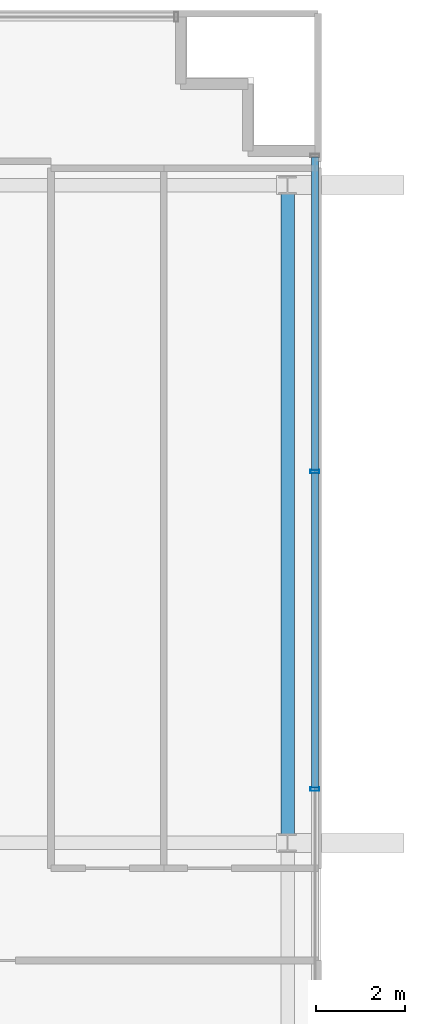
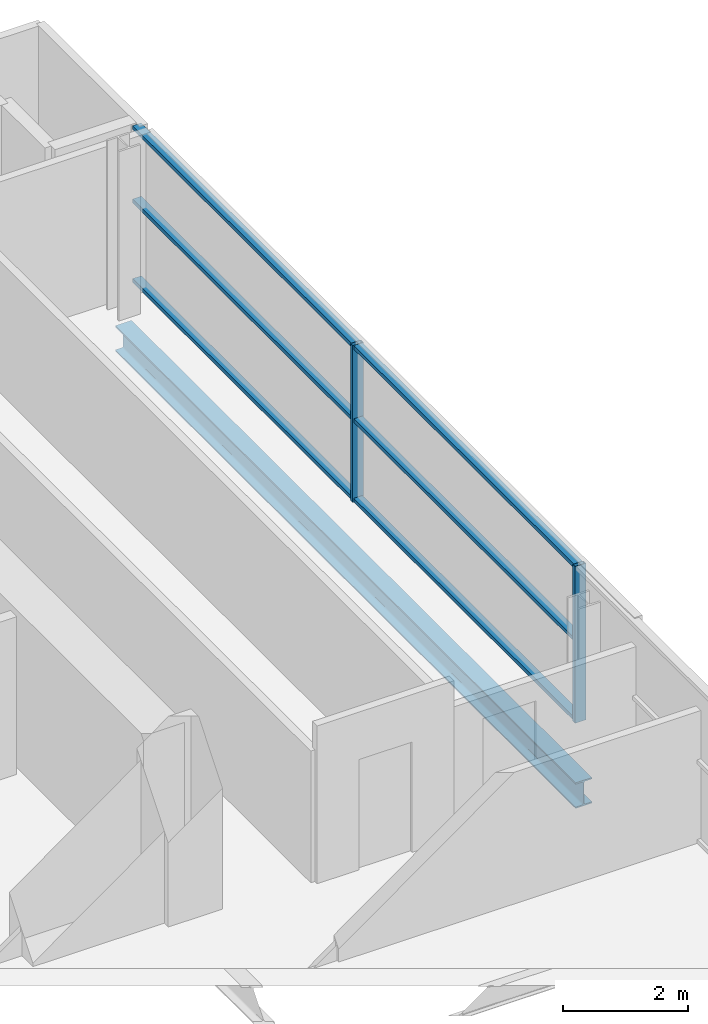
# One storey, part 9 of 23: 8 members, 1 beam, 1 element without a shape of its own.
"""IFC4 building model written with IfcOpenShell, lengths in metres."""

from ifc_helpers import new_model, si_unit, direction, frame, origin, origin_2d, place, context, subcontext, project, spatial, hollow_rectangle, i_section, extrude, source, transform, mapped, material, layer, layer_set, material_profile, profile_set, type_object, element, aggregate, save


model = new_model("IFC4")

# Units and contexts
model_context = context("Model", 3, precision=1e-05, world=origin(), true_north=direction((0.0, 1.0)))
body_context = subcontext(model_context, "Body", "Model", "MODEL_VIEW")
ifc_project = project(units=[si_unit("LENGTHUNIT", "METRE"), si_unit("AREAUNIT", "SQUARE_METRE"), si_unit("VOLUMEUNIT", "CUBIC_METRE"), si_unit("PLANEANGLEUNIT", "RADIAN"), si_unit("MASSUNIT", "GRAM", prefix="KILO")], contexts=[model_context])

# Site, building, storey
site_placement = place(None, origin())
site = spatial("IfcSite", under=ifc_project, at=site_placement, CompositionType="ELEMENT")
building_placement = place(site_placement, origin())
building = spatial("IfcBuilding", under=site, at=building_placement, Name="Zarnakvel Exchange Tower", CompositionType="ELEMENT")
storey_placement = place(building_placement, frame((0.0, 0.0, 146.199951171875)))
storey = spatial("IfcBuildingStorey", under=building, at=storey_placement, Name="L40", CompositionType="ELEMENT", Elevation=146.199951171875)

# Beam
ifc_material_1 = material(Name="Steel S355", Category="steel")
ifc_material_profile_1 = material_profile(ifc_material_1, i_section(OverallWidth=0.300048828125, OverallDepth=0.5, WebThickness=0.014404296875, FlangeThickness=0.028076171875, FilletRadius=0.027099609375, at=origin_2d()))
ifc_profile_set_1 = profile_set([ifc_material_profile_1], Name="Steel S355")
beam_type = type_object("IfcBeamType", Name="SP-02", PredefinedType="SPANDREL", material=ifc_profile_set_1)
beam_placement = place(storey_placement, frame((21.85009765625, -1.199951171875, -0.474853515625), z_axis=(0.0, 1.0, 0.0), x_axis=(-1.0, 0.0, 0.0)))
element("IfcBeam", 1, at=beam_placement, inside=storey, type_object=beam_type, Name="L40 Tower N-S Frame Beam", PredefinedType="SPANDREL", context=body_context, shape_type="SweptSolid", body=[
    extrude(i_section(OverallWidth=0.300048828125, OverallDepth=0.5, WebThickness=0.014404296875, FlangeThickness=0.028076171875, FilletRadius=0.027099609375, at=origin_2d()), origin(), (0.0, 0.0, 1.0), 14.699951171875),
])

# Curtain wall, members
ifc_material_2 = material(Name="Architectural Bronze Anodised Aluminium", Category="aluminium")
ifc_layer = layer(ifc_material_2, 0.199951171875)
ifc_layer_set = layer_set([ifc_layer], Name="Architectural Bronze Anodised Aluminium")
curtain_wall_type = type_object("IfcCurtainWallType", Name="CW-04", PredefinedType="NOTDEFINED", material=ifc_layer_set)
curtain_wall_placement = place(storey_placement, origin())
curtain_wall = element("IfcCurtainWall", 2, at=curtain_wall_placement, inside=storey, type_object=curtain_wall_type, Name="L40 Curtain Wall CW-L40-E1 (CW-04)", PredefinedType="NOTDEFINED")
ifc_material_profile_2 = material_profile(ifc_material_2, hollow_rectangle(XDim=0.199951171875, YDim=0.074951171875, WallThickness=0.0048828125, at=origin_2d()))
ifc_profile_set_2 = profile_set([ifc_material_profile_2], Name="Architectural Bronze Anodised Aluminium")
member_type_1 = type_object("IfcMemberType", Name="CWM-04", PredefinedType="MULLION", material=ifc_profile_set_2)
shared_shape_1 = source(origin(), body_context, "Body", "SweptSolid", [
    extrude(hollow_rectangle(XDim=0.199951171875, YDim=0.074951171875, WallThickness=0.0048828125, at=origin_2d()), origin(), (0.0, 0.0, 1.0), 3.054931640625),
])
member_1_placement = place(storey_placement, frame((22.4599609375, 0.0, 0.0), z_axis=(0.0, 0.0, 1.0), x_axis=(-1.0, 0.0, 0.0)))
member_1 = element("IfcMember", 3, at=member_1_placement, type_object=member_type_1, Name="CW-04 mullion 3", PredefinedType="MULLION", context=body_context, shape_type="MappedRepresentation", body=[
    mapped(shared_shape_1, transform((0.0, 0.0, 0.0), x_axis=(1.0, 0.0, 0.0), y_axis=(0.0, 1.0, 0.0), z_axis=(0.0, 0.0, 1.0), scale=1.0)),
])
member_2_placement = place(storey_placement, frame((22.4599609375, 7.10009765625, 0.0), z_axis=(0.0, 0.0, 1.0), x_axis=(-1.0, 0.0, 0.0)))
member_2 = element("IfcMember", 4, at=member_2_placement, type_object=member_type_1, Name="CW-04 mullion 4", PredefinedType="MULLION", context=body_context, shape_type="MappedRepresentation", body=[
    mapped(shared_shape_1, transform((0.0, 0.0, 0.0), x_axis=(1.0, 0.0, 0.0), y_axis=(0.0, 1.0, 0.0), z_axis=(0.0, 0.0, 1.0), scale=1.0)),
])
ifc_material_profile_3 = material_profile(ifc_material_2, hollow_rectangle(XDim=0.159912109375, YDim=0.074951171875, WallThickness=0.00390625, at=origin_2d()))
ifc_profile_set_3 = profile_set([ifc_material_profile_3], Name="Architectural Bronze Anodised Aluminium")
member_type_2 = type_object("IfcMemberType", Name="CWT-04", PredefinedType="USERDEFINED", material=ifc_profile_set_3)
shared_shape_2 = source(origin(), body_context, "Body", "SweptSolid", [
    extrude(hollow_rectangle(XDim=0.159912109375, YDim=0.074951171875, WallThickness=0.00390625, at=origin_2d()), origin(), (0.0, 0.0, 1.0), 6.987548828125),
])
member_3_placement = place(storey_placement, frame((22.4599609375, 7.137451171875, 0.03759765625), z_axis=(0.0, 1.0, 0.0), x_axis=(-1.0, 0.0, 0.0)))
member_3 = element("IfcMember", 5, at=member_3_placement, type_object=member_type_2, Name="CW-04 transom 4.1", ObjectType="TRANSOM", PredefinedType="USERDEFINED", context=body_context, shape_type="MappedRepresentation", body=[
    mapped(shared_shape_2, transform((0.0, 0.0, 0.0), x_axis=(1.0, 0.0, 0.0), y_axis=(0.0, 1.0, 0.0), z_axis=(0.0, 0.0, 1.0), scale=1.0)),
])
member_4_placement = place(storey_placement, frame((22.4599609375, 7.137451171875, 1.588623046875), z_axis=(0.0, 1.0, 0.0), x_axis=(-1.0, 0.0, 0.0)))
member_4 = element("IfcMember", 6, at=member_4_placement, type_object=member_type_2, Name="CW-04 transom 4.2", ObjectType="TRANSOM", PredefinedType="USERDEFINED", context=body_context, shape_type="MappedRepresentation", body=[
    mapped(shared_shape_2, transform((0.0, 0.0, 0.0), x_axis=(1.0, 0.0, 0.0), y_axis=(0.0, 1.0, 0.0), z_axis=(0.0, 0.0, 1.0), scale=1.0)),
])
member_5_placement = place(storey_placement, frame((22.4599609375, 7.137451171875, 3.017578125), z_axis=(0.0, 1.0, 0.0), x_axis=(-1.0, 0.0, 0.0)))
member_5 = element("IfcMember", 7, at=member_5_placement, type_object=member_type_2, Name="CW-04 transom 4.3", ObjectType="TRANSOM", PredefinedType="USERDEFINED", context=body_context, shape_type="MappedRepresentation", body=[
    mapped(shared_shape_2, transform((0.0, 0.0, 0.0), x_axis=(1.0, 0.0, 0.0), y_axis=(0.0, 1.0, 0.0), z_axis=(0.0, 0.0, 1.0), scale=1.0)),
])
shared_shape_3 = source(origin(), body_context, "Body", "SweptSolid", [
    extrude(hollow_rectangle(XDim=0.159912109375, YDim=0.074951171875, WallThickness=0.00390625, at=origin_2d()), origin(), (0.0, 0.0, 1.0), 7.02490234375),
])
member_6_placement = place(storey_placement, frame((22.4599609375, 0.03759765625, 0.03759765625), z_axis=(0.0, 1.0, 0.0), x_axis=(-1.0, 0.0, 0.0)))
member_6 = element("IfcMember", 8, at=member_6_placement, type_object=member_type_2, Name="CW-04 transom 3.1", ObjectType="TRANSOM", PredefinedType="USERDEFINED", context=body_context, shape_type="MappedRepresentation", body=[
    mapped(shared_shape_3, transform((0.0, 0.0, 0.0), x_axis=(1.0, 0.0, 0.0), y_axis=(0.0, 1.0, 0.0), z_axis=(0.0, 0.0, 1.0), scale=1.0)),
])
member_7_placement = place(storey_placement, frame((22.4599609375, 0.03759765625, 1.588623046875), z_axis=(0.0, 1.0, 0.0), x_axis=(-1.0, 0.0, 0.0)))
member_7 = element("IfcMember", 9, at=member_7_placement, type_object=member_type_2, Name="CW-04 transom 3.2", ObjectType="TRANSOM", PredefinedType="USERDEFINED", context=body_context, shape_type="MappedRepresentation", body=[
    mapped(shared_shape_3, transform((0.0, 0.0, 0.0), x_axis=(1.0, 0.0, 0.0), y_axis=(0.0, 1.0, 0.0), z_axis=(0.0, 0.0, 1.0), scale=1.0)),
])
member_8_placement = place(storey_placement, frame((22.4599609375, 0.03759765625, 3.017578125), z_axis=(0.0, 1.0, 0.0), x_axis=(-1.0, 0.0, 0.0)))
member_8 = element("IfcMember", 10, at=member_8_placement, type_object=member_type_2, Name="CW-04 transom 3.3", ObjectType="TRANSOM", PredefinedType="USERDEFINED", context=body_context, shape_type="MappedRepresentation", body=[
    mapped(shared_shape_3, transform((0.0, 0.0, 0.0), x_axis=(1.0, 0.0, 0.0), y_axis=(0.0, 1.0, 0.0), z_axis=(0.0, 0.0, 1.0), scale=1.0)),
])
aggregate(curtain_wall, [member_1, member_2, member_6, member_7, member_8, member_3, member_4, member_5])

save(model, "model.ifc")
